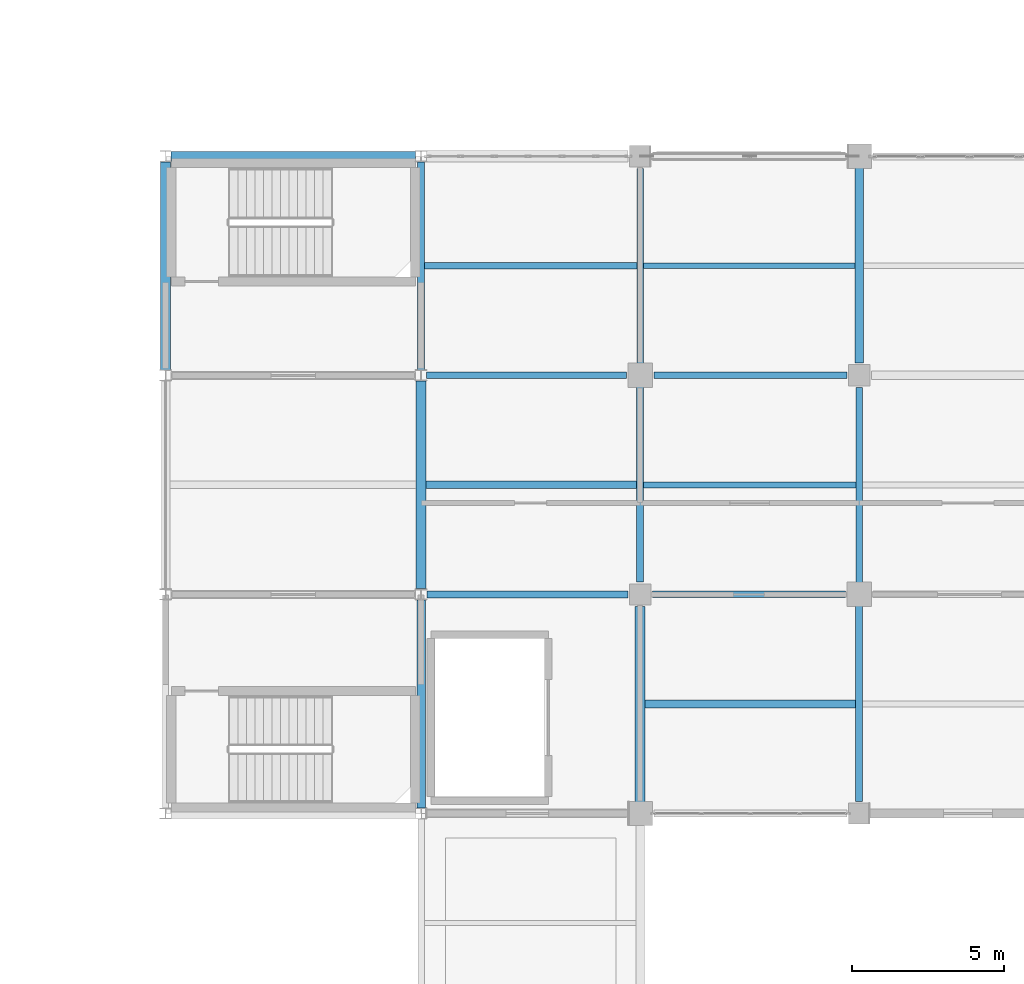
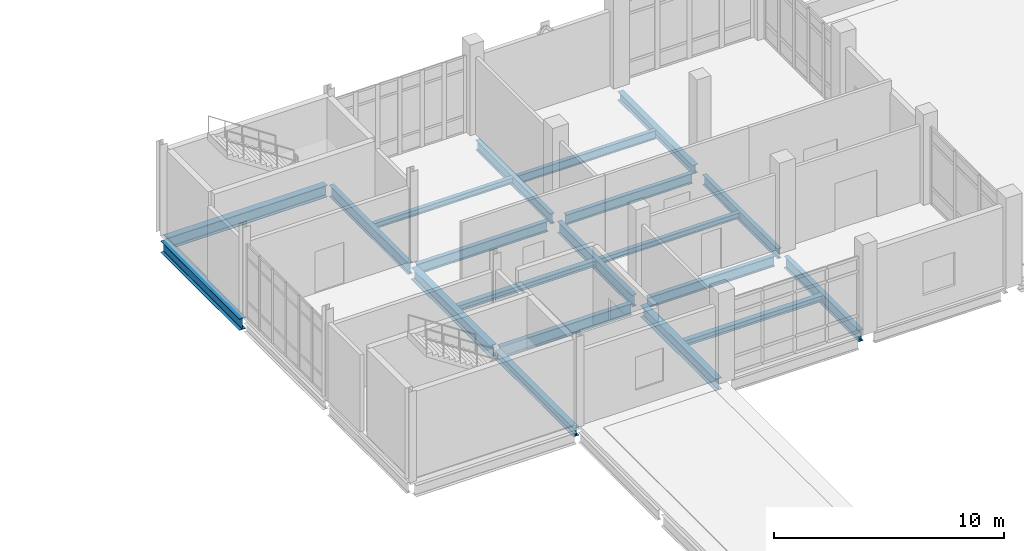
# One storey, part 76 of 153: 20 beams.
"""IFC4 building model written with IfcOpenShell, lengths in metres."""

from ifc_helpers import new_model, si_unit, direction, frame, origin, origin_2d, place, context, subcontext, project, spatial, i_section, extrude, material, material_profile, profile_set, type_object, element, save


model = new_model("IFC4")

# Units and contexts
model_context = context("Model", 3, precision=1e-05, world=origin(), true_north=direction((0.0, 1.0)))
body_context = subcontext(model_context, "Body", "Model", "MODEL_VIEW")
ifc_project = project(units=[si_unit("LENGTHUNIT", "METRE"), si_unit("AREAUNIT", "SQUARE_METRE"), si_unit("VOLUMEUNIT", "CUBIC_METRE"), si_unit("PLANEANGLEUNIT", "RADIAN"), si_unit("MASSUNIT", "GRAM", prefix="KILO")], contexts=[model_context])

# Site, building, storey
site_placement = place(None, origin())
site = spatial("IfcSite", under=ifc_project, at=site_placement, CompositionType="ELEMENT")
building_placement = place(site_placement, origin())
building = spatial("IfcBuilding", under=site, at=building_placement, Name="Calvrana Isthmian Art Gallery", CompositionType="ELEMENT")
storey_placement = place(building_placement, frame((0.0, 0.0, 10.199951171875)))
storey = spatial("IfcBuildingStorey", under=building, at=storey_placement, Name="L02", CompositionType="ELEMENT", Elevation=10.199951171875)

# Beams
ifc_material = material(Name="Steel ASTM A992 Gr 50", Category="steel")
ifc_material_profile_1 = material_profile(ifc_material, i_section(OverallWidth=0.279052734375, OverallDepth=0.4619140625, WebThickness=0.0107421875, FlangeThickness=0.017333984375, FilletRadius=0.02001953125, at=origin_2d()), Name="W18X76")
ifc_profile_set_1 = profile_set([ifc_material_profile_1], Name="Steel ASTM A992 Gr 50")
beam_type_1 = type_object("IfcBeamType", Name="BM-G-W18X76", PredefinedType="BEAM", material=ifc_profile_set_1)
beam_1_placement = place(storey_placement, frame((112.800048828125, 76.98388671875, -0.495849609375), z_axis=(0.0, 1.0, 0.0), x_axis=(-1.0, 0.0, 0.0)))
element("IfcBeam", 1, at=beam_1_placement, inside=storey, type_object=beam_type_1, Name="Girder Y L02 15/K-L", PredefinedType="BEAM", context=body_context, shape_type="SweptSolid", body=[
    extrude(i_section(OverallWidth=0.279052734375, OverallDepth=0.4619140625, WebThickness=0.0107421875, FlangeThickness=0.017333984375, FilletRadius=0.02001953125, at=origin_2d()), origin(), (0.0, 0.0, 1.0), 6.82958984375),
])
beam_2_placement = place(storey_placement, frame((127.199951171875, 91.60009765625, -0.495849609375), z_axis=(0.0, 1.0, 0.0), x_axis=(-1.0, 0.0, 0.0)))
element("IfcBeam", 2, at=beam_2_placement, inside=storey, type_object=beam_type_1, Name="Girder Y L02 17/M-N", PredefinedType="BEAM", context=body_context, shape_type="SweptSolid", body=[
    extrude(i_section(OverallWidth=0.279052734375, OverallDepth=0.4619140625, WebThickness=0.0107421875, FlangeThickness=0.017333984375, FilletRadius=0.02001953125, at=origin_2d()), origin(), (0.0, 0.0, 1.0), 6.5),
])
ifc_material_profile_2 = material_profile(ifc_material, i_section(OverallWidth=0.208984375, OverallDepth=0.532958984375, WebThickness=0.01025390625, FlangeThickness=0.015625, FilletRadius=0.02099609375, at=origin_2d()), Name="W21X62")
ifc_profile_set_2 = profile_set([ifc_material_profile_2], Name="Steel ASTM A992 Gr 50")
beam_type_2 = type_object("IfcBeamType", Name="BM-G-W21X62", PredefinedType="BEAM", material=ifc_profile_set_2)
beam_3_placement = place(storey_placement, frame((120.449951171875, 91.199951171875, -0.531494140625), z_axis=(1.0, 0.0, 0.0), x_axis=(0.0, 1.0, 0.0)))
element("IfcBeam", 3, at=beam_3_placement, inside=storey, type_object=beam_type_2, Name="Girder X L02 16-17/M", PredefinedType="BEAM", context=body_context, shape_type="SweptSolid", body=[
    extrude(i_section(OverallWidth=0.208984375, OverallDepth=0.532958984375, WebThickness=0.01025390625, FlangeThickness=0.015625, FilletRadius=0.02099609375, at=origin_2d()), origin(), (0.0, 0.0, 1.0), 6.35009765625),
])
for number, where, z_axis, x_axis, name in (
    (4, (120.0, 91.5, -0.531494140625), (0.0, 1.0, 0.0), (-1.0, 0.0, 0.0), "Girder Y L02 16/M-N"),
    (5, (127.199951171875, 84.300048828125, -0.531494140625), (0.0, 1.0, 0.0), (-1.0, 0.0, 0.0), "Girder Y L02 17/L-M"),
):
    element("IfcBeam", number, at=place(storey_placement, frame(where, z_axis=z_axis, x_axis=x_axis)), inside=storey, type_object=beam_type_2, Name=name, PredefinedType="BEAM", context=body_context, shape_type="SweptSolid", body=[
        extrude(i_section(OverallWidth=0.208984375, OverallDepth=0.532958984375, WebThickness=0.01025390625, FlangeThickness=0.015625, FilletRadius=0.02099609375, at=origin_2d()), origin(), (0.0, 0.0, 1.0), 6.5),
    ])
ifc_material_profile_3 = material_profile(ifc_material, i_section(OverallWidth=0.214111328125, OverallDepth=0.549072265625, WebThickness=0.0146484375, FlangeThickness=0.023681640625, FilletRadius=0.02099609375, at=origin_2d()), Name="W21X93")
ifc_profile_set_3 = profile_set([ifc_material_profile_3], Name="Steel ASTM A992 Gr 50")
beam_type_3 = type_object("IfcBeamType", Name="BM-G-W21X93", PredefinedType="BEAM", material=ifc_profile_set_3)
beam_4_placement = place(storey_placement, frame((120.39990234375, 84.0, -0.53955078125), z_axis=(1.0, 0.0, 0.0), x_axis=(0.0, 1.0, 0.0)))
element("IfcBeam", 6, at=beam_4_placement, inside=storey, type_object=beam_type_3, Name="Girder X L02 16-17/L", PredefinedType="BEAM", context=body_context, shape_type="SweptSolid", body=[
    extrude(i_section(OverallWidth=0.214111328125, OverallDepth=0.549072265625, WebThickness=0.0146484375, FlangeThickness=0.023681640625, FilletRadius=0.02099609375, at=origin_2d()), origin(), (0.0, 0.0, 1.0), 6.35009765625),
])
beam_5_placement = place(storey_placement, frame((112.98388671875, 91.199951171875, -0.53955078125), z_axis=(1.0, 0.0, 0.0), x_axis=(0.0, 1.0, 0.0)))
element("IfcBeam", 7, at=beam_5_placement, inside=storey, type_object=beam_type_3, Name="Girder X L02 15-16/M", PredefinedType="BEAM", context=body_context, shape_type="SweptSolid", body=[
    extrude(i_section(OverallWidth=0.214111328125, OverallDepth=0.549072265625, WebThickness=0.0146484375, FlangeThickness=0.023681640625, FilletRadius=0.02099609375, at=origin_2d()), origin(), (0.0, 0.0, 1.0), 6.566162109375),
])
ifc_material_profile_4 = material_profile(ifc_material, i_section(OverallWidth=0.324951171875, OverallDepth=0.612060546875, WebThickness=0.0126953125, FlangeThickness=0.01904296875, FilletRadius=0.02197265625, at=origin_2d()), Name="W24X104")
ifc_profile_set_4 = profile_set([ifc_material_profile_4], Name="Steel ASTM A992 Gr 50")
beam_type_4 = type_object("IfcBeamType", Name="BM-G-W24X104", PredefinedType="BEAM", material=ifc_profile_set_4)
beam_6_placement = place(storey_placement, frame((104.39990234375, 91.381591796875, -0.571044921875), z_axis=(0.0, 1.0, 0.0), x_axis=(-1.0, 0.0, 0.0)))
element("IfcBeam", 8, at=beam_6_placement, inside=storey, type_object=beam_type_4, Name="Girder Y L02 14/M-N", PredefinedType="BEAM", context=body_context, shape_type="SweptSolid", body=[
    extrude(i_section(OverallWidth=0.324951171875, OverallDepth=0.612060546875, WebThickness=0.0126953125, FlangeThickness=0.01904296875, FilletRadius=0.02197265625, at=origin_2d()), origin(), (0.0, 0.0, 1.0), 6.83447265625),
])
beam_7_placement = place(storey_placement, frame((112.800048828125, 84.1865234375, -0.571044921875), z_axis=(0.0, 1.0, 0.0), x_axis=(-1.0, 0.0, 0.0)))
element("IfcBeam", 9, at=beam_7_placement, inside=storey, type_object=beam_type_4, Name="Girder Y L02 15/L-M", PredefinedType="BEAM", context=body_context, shape_type="SweptSolid", body=[
    extrude(i_section(OverallWidth=0.324951171875, OverallDepth=0.612060546875, WebThickness=0.0126953125, FlangeThickness=0.01904296875, FilletRadius=0.02197265625, at=origin_2d()), origin(), (0.0, 0.0, 1.0), 6.83544921875),
])
beam_8_placement = place(storey_placement, frame((120.0, 77.10009765625, -0.571044921875), z_axis=(0.0, 1.0, 0.0), x_axis=(-1.0, 0.0, 0.0)))
element("IfcBeam", 10, at=beam_8_placement, inside=storey, type_object=beam_type_4, Name="Girder Y L02 16/K-L", PredefinedType="BEAM", context=body_context, shape_type="SweptSolid", body=[
    extrude(i_section(OverallWidth=0.324951171875, OverallDepth=0.612060546875, WebThickness=0.0126953125, FlangeThickness=0.01904296875, FilletRadius=0.02197265625, at=origin_2d()), origin(), (0.0, 0.0, 1.0), 6.5),
])
ifc_material_profile_5 = material_profile(ifc_material, i_section(OverallWidth=0.327880859375, OverallDepth=0.6220703125, WebThickness=0.015380859375, FlangeThickness=0.0244140625, FilletRadius=0.02197265625, at=origin_2d()), Name="W24X131")
ifc_profile_set_5 = profile_set([ifc_material_profile_5], Name="Steel ASTM A992 Gr 50")
beam_type_5 = type_object("IfcBeamType", Name="BM-G-W24X131", PredefinedType="BEAM", material=ifc_profile_set_5)
beam_9_placement = place(storey_placement, frame((104.58642578125, 98.39990234375, -0.575927734375), z_axis=(1.0, 0.0, 0.0), x_axis=(0.0, 1.0, 0.0)))
element("IfcBeam", 11, at=beam_9_placement, inside=storey, type_object=beam_type_5, Name="Girder X L02 14-15/N", PredefinedType="BEAM", context=body_context, shape_type="SweptSolid", body=[
    extrude(i_section(OverallWidth=0.327880859375, OverallDepth=0.6220703125, WebThickness=0.015380859375, FlangeThickness=0.0244140625, FilletRadius=0.02197265625, at=origin_2d()), origin(), (0.0, 0.0, 1.0), 8.028076171875),
])
ifc_material_profile_6 = material_profile(ifc_material, i_section(OverallWidth=0.22802734375, OverallDepth=0.60693359375, WebThickness=0.01123046875, FlangeThickness=0.017333984375, FilletRadius=0.02197265625, at=origin_2d()), Name="W24X76")
ifc_profile_set_6 = profile_set([ifc_material_profile_6], Name="Steel ASTM A992 Gr 50")
beam_type_6 = type_object("IfcBeamType", Name="BM-G-W24X76", PredefinedType="BEAM", material=ifc_profile_set_6)
beam_10_placement = place(storey_placement, frame((112.986572265625, 84.0, -0.568359375), z_axis=(1.0, 0.0, 0.0), x_axis=(0.0, 1.0, 0.0)))
element("IfcBeam", 12, at=beam_10_placement, inside=storey, type_object=beam_type_6, Name="Girder X L02 15-16/L", PredefinedType="BEAM", context=body_context, shape_type="SweptSolid", body=[
    extrude(i_section(OverallWidth=0.22802734375, OverallDepth=0.60693359375, WebThickness=0.01123046875, FlangeThickness=0.017333984375, FilletRadius=0.02197265625, at=origin_2d()), origin(), (0.0, 0.0, 1.0), 6.613525390625),
])
beam_11_placement = place(storey_placement, frame((112.800048828125, 91.3779296875, -0.568359375), z_axis=(0.0, 1.0, 0.0), x_axis=(-1.0, 0.0, 0.0)))
element("IfcBeam", 13, at=beam_11_placement, inside=storey, type_object=beam_type_6, Name="Girder Y L02 15/M-N", PredefinedType="BEAM", context=body_context, shape_type="SweptSolid", body=[
    extrude(i_section(OverallWidth=0.22802734375, OverallDepth=0.60693359375, WebThickness=0.01123046875, FlangeThickness=0.017333984375, FilletRadius=0.02197265625, at=origin_2d()), origin(), (0.0, 0.0, 1.0), 6.840576171875),
])
for number, where, z_axis, x_axis, name in (
    (14, (120.0, 84.39990234375, -0.568359375), (0.0, 1.0, 0.0), (-1.0, 0.0, 0.0), "Girder Y L02 16/L-M"),
    (15, (127.199951171875, 77.199951171875, -0.568359375), (0.0, 1.0, 0.0), (-1.0, 0.0, 0.0), "Girder Y L02 17/K-L"),
):
    element("IfcBeam", number, at=place(storey_placement, frame(where, z_axis=z_axis, x_axis=x_axis)), inside=storey, type_object=beam_type_6, Name=name, PredefinedType="BEAM", context=body_context, shape_type="SweptSolid", body=[
        extrude(i_section(OverallWidth=0.22802734375, OverallDepth=0.60693359375, WebThickness=0.01123046875, FlangeThickness=0.017333984375, FilletRadius=0.02197265625, at=origin_2d()), origin(), (0.0, 0.0, 1.0), 6.5),
    ])
ifc_material_profile_7 = material_profile(ifc_material, i_section(OverallWidth=0.202880859375, OverallDepth=0.302001953125, WebThickness=0.007568359375, FlangeThickness=0.01318359375, FilletRadius=0.01611328125, at=origin_2d()), Name="W12X40")
ifc_profile_set_7 = profile_set([ifc_material_profile_7], Name="Steel ASTM A992 Gr 50")
beam_type_7 = type_object("IfcBeamType", Name="BM-J-W12X40", PredefinedType="JOIST", material=ifc_profile_set_7)
for number, where, z_axis, x_axis, name in (
    (16, (112.9140625, 94.800048828125, -0.416015625), (1.0, 0.0, 0.0), (0.0, 1.0, 0.0), "Composite joist L02 bay 14-12"),
    (17, (120.114013671875, 87.60009765625, -0.416015625), (1.0, 0.0, 0.0), (0.0, 1.0, 0.0), "Composite joist L02 bay 15-11"),
):
    element("IfcBeam", number, at=place(storey_placement, frame(where, z_axis=z_axis, x_axis=x_axis)), inside=storey, type_object=beam_type_7, Name=name, PredefinedType="JOIST", context=body_context, shape_type="SweptSolid", body=[
        extrude(i_section(OverallWidth=0.202880859375, OverallDepth=0.302001953125, WebThickness=0.007568359375, FlangeThickness=0.01318359375, FilletRadius=0.01611328125, at=origin_2d()), origin(), (0.0, 0.0, 1.0), 6.9814453125),
    ])
ifc_material_profile_8 = material_profile(ifc_material, i_section(OverallWidth=0.25390625, OverallDepth=0.306884765625, WebThickness=0.0087890625, FlangeThickness=0.0146484375, FilletRadius=0.01611328125, at=origin_2d()), Name="W12X53")
ifc_profile_set_8 = profile_set([ifc_material_profile_8], Name="Steel ASTM A992 Gr 50")
beam_type_8 = type_object("IfcBeamType", Name="BM-J-W12X53", PredefinedType="JOIST", material=ifc_profile_set_8)
beam_12_placement = place(storey_placement, frame((112.96240234375, 87.60009765625, -0.41845703125), z_axis=(1.0, 0.0, 0.0), x_axis=(0.0, 1.0, 0.0)))
element("IfcBeam", 18, at=beam_12_placement, inside=storey, type_object=beam_type_8, Name="Composite joist L02 bay 14-11", PredefinedType="JOIST", context=body_context, shape_type="SweptSolid", body=[
    extrude(i_section(OverallWidth=0.25390625, OverallDepth=0.306884765625, WebThickness=0.0087890625, FlangeThickness=0.0146484375, FilletRadius=0.01611328125, at=origin_2d()), origin(), (0.0, 0.0, 1.0), 6.923583984375),
])
beam_13_placement = place(storey_placement, frame((120.16259765625, 80.39990234375, -0.41845703125), z_axis=(1.0, 0.0, 0.0), x_axis=(0.0, 1.0, 0.0)))
element("IfcBeam", 19, at=beam_13_placement, inside=storey, type_object=beam_type_8, Name="Composite joist L02 bay 15-10", PredefinedType="JOIST", context=body_context, shape_type="SweptSolid", body=[
    extrude(i_section(OverallWidth=0.25390625, OverallDepth=0.306884765625, WebThickness=0.0087890625, FlangeThickness=0.0146484375, FilletRadius=0.01611328125, at=origin_2d()), origin(), (0.0, 0.0, 1.0), 6.92333984375),
])
ifc_material_profile_9 = material_profile(ifc_material, i_section(OverallWidth=0.19091796875, OverallDepth=0.45703125, WebThickness=0.009033203125, FlangeThickness=0.014404296875, FilletRadius=0.02001953125, at=origin_2d()), Name="W18X50")
ifc_profile_set_9 = profile_set([ifc_material_profile_9], Name="Steel ASTM A992 Gr 50")
beam_type_9 = type_object("IfcBeamType", Name="BM-J-W18X50", PredefinedType="JOIST", material=ifc_profile_set_9)
beam_14_placement = place(storey_placement, frame((120.1044921875, 94.800048828125, -0.493408203125), z_axis=(1.0, 0.0, 0.0), x_axis=(0.0, 1.0, 0.0)))
element("IfcBeam", 20, at=beam_14_placement, inside=storey, type_object=beam_type_9, Name="Composite joist L02 bay 15-12", PredefinedType="JOIST", context=body_context, shape_type="SweptSolid", body=[
    extrude(i_section(OverallWidth=0.19091796875, OverallDepth=0.45703125, WebThickness=0.009033203125, FlangeThickness=0.014404296875, FilletRadius=0.02001953125, at=origin_2d()), origin(), (0.0, 0.0, 1.0), 6.9560546875),
])

save(model, "model.ifc")
